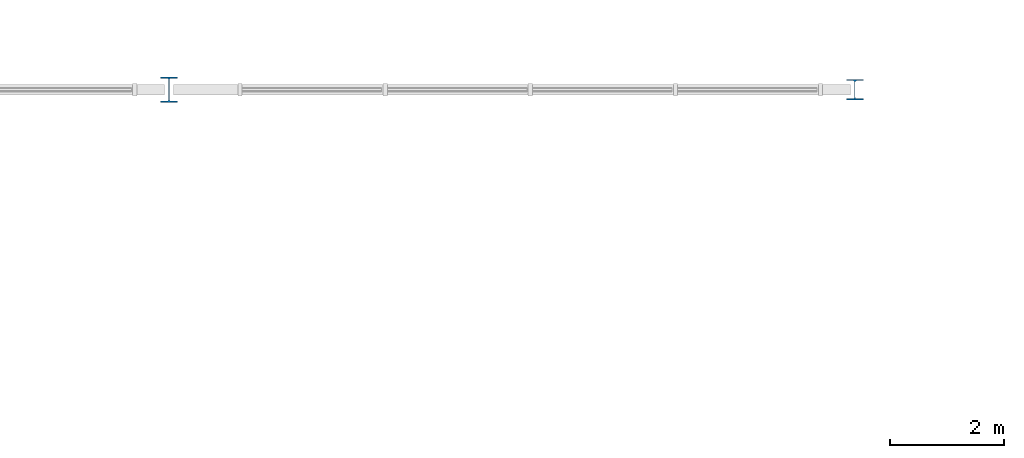
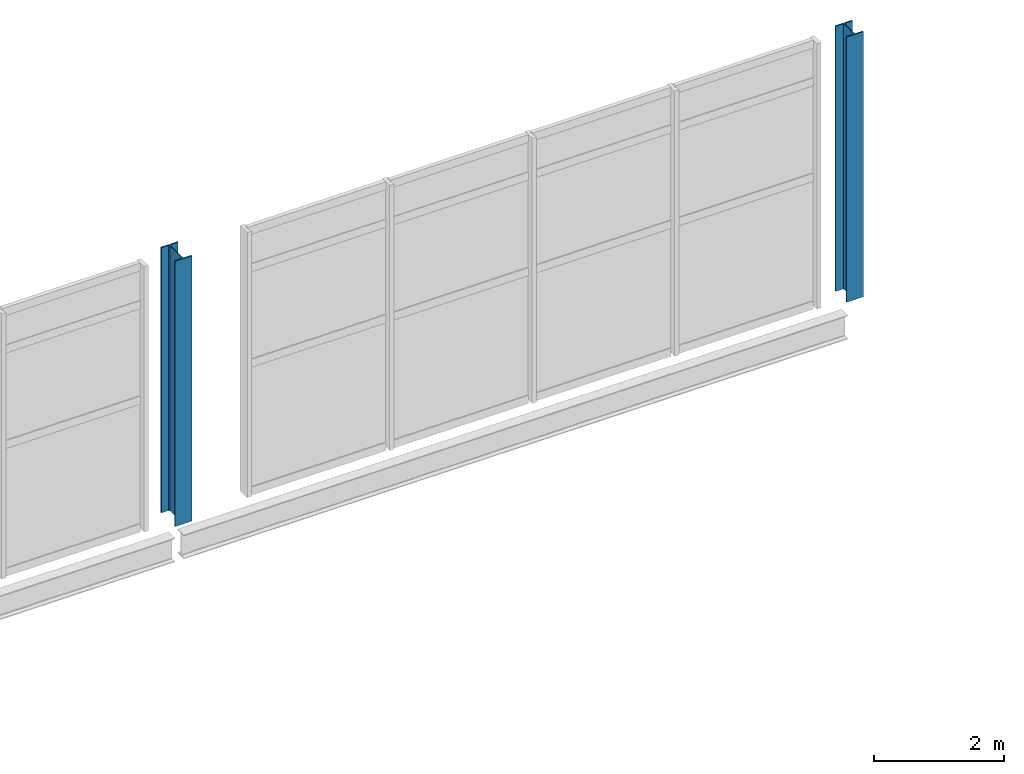
# One storey, part 25 of 89: 2 columns.
"""IFC4 building model written with IfcOpenShell, lengths in metres."""

from ifc_helpers import new_model, si_unit, direction, frame, origin, origin_2d, place, context, subcontext, project, spatial, i_section, extrude, material, material_profile, profile_set, type_object, element, save


model = new_model("IFC4")

# Units and contexts
model_context = context("Model", 3, precision=1e-05, world=origin(), true_north=direction((0.0, 1.0)))
body_context = subcontext(model_context, "Body", "Model", "MODEL_VIEW")
ifc_project = project(units=[si_unit("LENGTHUNIT", "METRE"), si_unit("AREAUNIT", "SQUARE_METRE"), si_unit("VOLUMEUNIT", "CUBIC_METRE"), si_unit("PLANEANGLEUNIT", "RADIAN"), si_unit("MASSUNIT", "GRAM", prefix="KILO"), si_unit("THERMODYNAMICTEMPERATUREUNIT", "KELVIN"), si_unit("POWERUNIT", "WATT")], contexts=[model_context])

# Site, building, storey
site_placement = place(None, origin())
site = spatial("IfcSite", under=ifc_project, at=site_placement, CompositionType="ELEMENT")
building_placement = place(site_placement, origin())
building = spatial("IfcBuilding", under=site, at=building_placement, Name="Solmara Park Aquatics Centre", CompositionType="ELEMENT")
storey_placement = place(building_placement, frame((0.0, 0.0, 5.39990234375)))
storey = spatial("IfcBuildingStorey", under=building, at=storey_placement, Name="L01", CompositionType="ELEMENT", Elevation=5.39990234375)

# Columns
ifc_material = material(Name="Structural Steel S355", Category="steel")
ifc_material_profile_1 = material_profile(ifc_material, i_section(OverallWidth=0.300048828125, OverallDepth=0.449951171875, WebThickness=0.013916015625, FlangeThickness=0.02587890625, FilletRadius=0.027099609375, at=origin_2d()), Name="HEB 450")
ifc_profile_set_1 = profile_set([ifc_material_profile_1], Name="Structural Steel S355")
column_type_1 = type_object("IfcColumnType", Name="STR-COL-HEB450", PredefinedType="COLUMN", material=ifc_profile_set_1)
column_1_placement = place(storey_placement, frame((144.0, 136.0, 0.0), z_axis=(0.0, 0.0, 1.0), x_axis=(1.0, 0.0, 0.0)))
element("IfcColumn", 1, at=column_1_placement, inside=storey, type_object=column_type_1, Name="Column L01-0431", PredefinedType="COLUMN", context=body_context, shape_type="SweptSolid", body=[
    extrude(i_section(OverallWidth=0.300048828125, OverallDepth=0.449951171875, WebThickness=0.013916015625, FlangeThickness=0.02587890625, FilletRadius=0.027099609375, at=origin_2d()), origin(), (0.0, 0.0, 1.0), 5.0),
])
ifc_material_profile_2 = material_profile(ifc_material, i_section(OverallWidth=0.300048828125, OverallDepth=0.360107421875, WebThickness=0.012451171875, FlangeThickness=0.0224609375, FilletRadius=0.027099609375, at=origin_2d()), Name="HEB 360")
ifc_profile_set_2 = profile_set([ifc_material_profile_2], Name="Structural Steel S355")
column_type_2 = type_object("IfcColumnType", Name="STR-PIL-HEB360", PredefinedType="PILASTER", material=ifc_profile_set_2)
column_2_placement = place(storey_placement, frame((156.0, 136.0, 0.0), z_axis=(0.0, 0.0, 1.0), x_axis=(1.0, 0.0, 0.0)))
element("IfcColumn", 2, at=column_2_placement, inside=storey, type_object=column_type_2, Name="Column L01-0438", PredefinedType="PILASTER", context=body_context, shape_type="SweptSolid", body=[
    extrude(i_section(OverallWidth=0.300048828125, OverallDepth=0.360107421875, WebThickness=0.012451171875, FlangeThickness=0.0224609375, FilletRadius=0.027099609375, at=origin_2d()), origin(), (0.0, 0.0, 1.0), 5.0),
])

save(model, "model.ifc")
